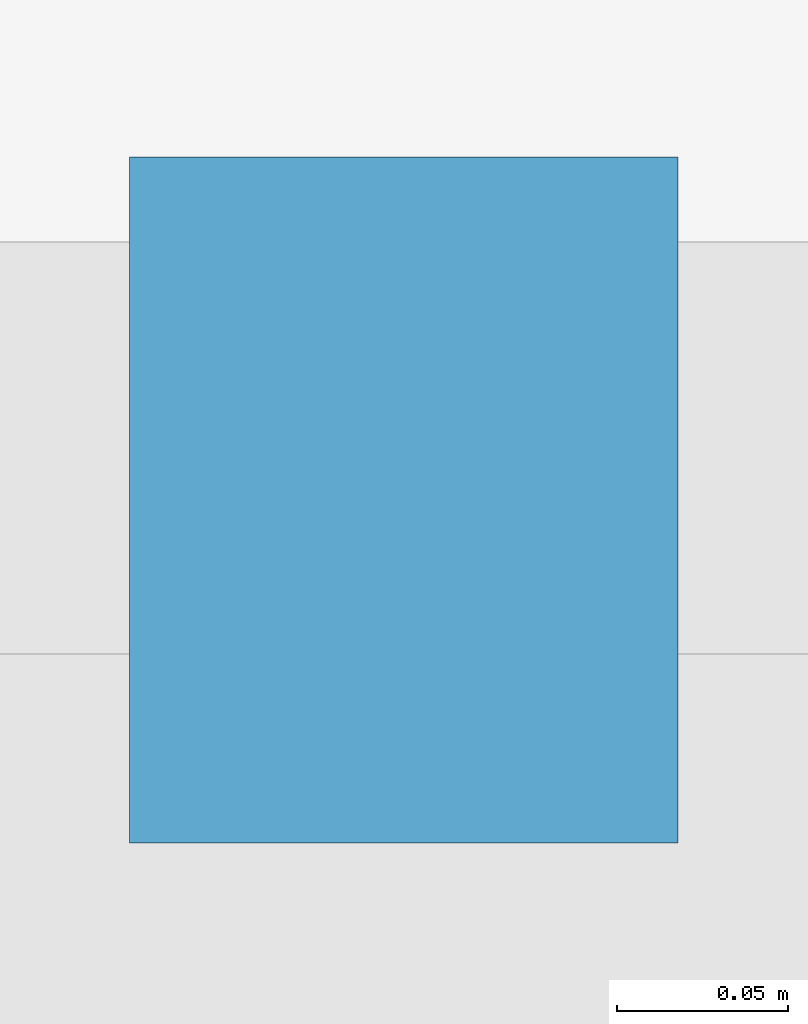
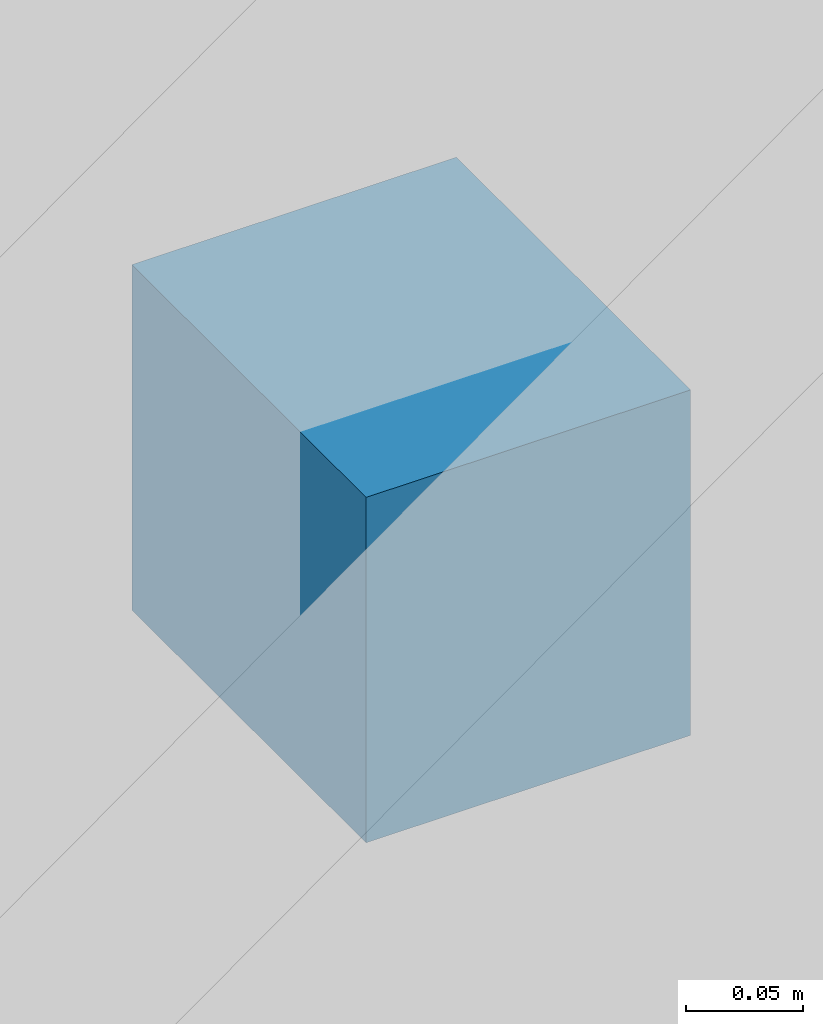
# One storey, part 22 of 26: 1 discrete accessory.
"""IFC4 building model written with IfcOpenShell, lengths in metres."""

from ifc_helpers import new_model, si_unit, direction, frame, origin, origin_2d, place, context, subcontext, project, spatial, rectangle, extrude, material, type_object, element, save


model = new_model("IFC4")

# Units and contexts
model_context = context("Model", 3, precision=1e-05, world=origin(), true_north=direction((0.0, 1.0)))
body_context = subcontext(model_context, "Body", "Model", "MODEL_VIEW")
ifc_project = project(units=[si_unit("LENGTHUNIT", "METRE"), si_unit("AREAUNIT", "SQUARE_METRE"), si_unit("VOLUMEUNIT", "CUBIC_METRE"), si_unit("PLANEANGLEUNIT", "RADIAN"), si_unit("MASSUNIT", "GRAM", prefix="KILO")], contexts=[model_context])

# Site, building, storey
site_placement = place(None, origin())
site = spatial("IfcSite", under=ifc_project, at=site_placement, CompositionType="ELEMENT")
building_placement = place(site_placement, origin())
building = spatial("IfcBuilding", under=site, at=building_placement, Name="Koriwani Terraces Tower", CompositionType="ELEMENT")
storey_placement = place(building_placement, frame((0.0, 0.0, 39.60009765625)))
storey = spatial("IfcBuildingStorey", under=building, at=storey_placement, Name="L08", CompositionType="ELEMENT", Elevation=39.60009765625)

# Discrete accessory
ifc_material = material(Name="Steel ASTM A572 Grade 50", Category="steel")
discrete_accessory_type = type_object("IfcDiscreteAccessoryType", Name="BAGUETTE_STANDOFF_BRACKET", PredefinedType="BRACKET", material=ifc_material)
discrete_accessory_placement = place(storey_placement, frame((79.800048828125, 0.389892578125, 1.68505859375), z_axis=(0.0, 0.0, 1.0), x_axis=(-1.0, 0.0, 0.0)))
element("IfcDiscreteAccessory", 1, at=discrete_accessory_placement, inside=storey, type_object=discrete_accessory_type, Name="L08 Terracotta Baguette Bracket (S-27)", PredefinedType="BRACKET", context=body_context, shape_type="SweptSolid", body=[
    extrude(rectangle(XDim=0.159912109375, YDim=0.199951171875, at=origin_2d()), origin(), (0.0, 0.0, 1.0), 0.179931640625),
])

save(model, "model.ifc")
